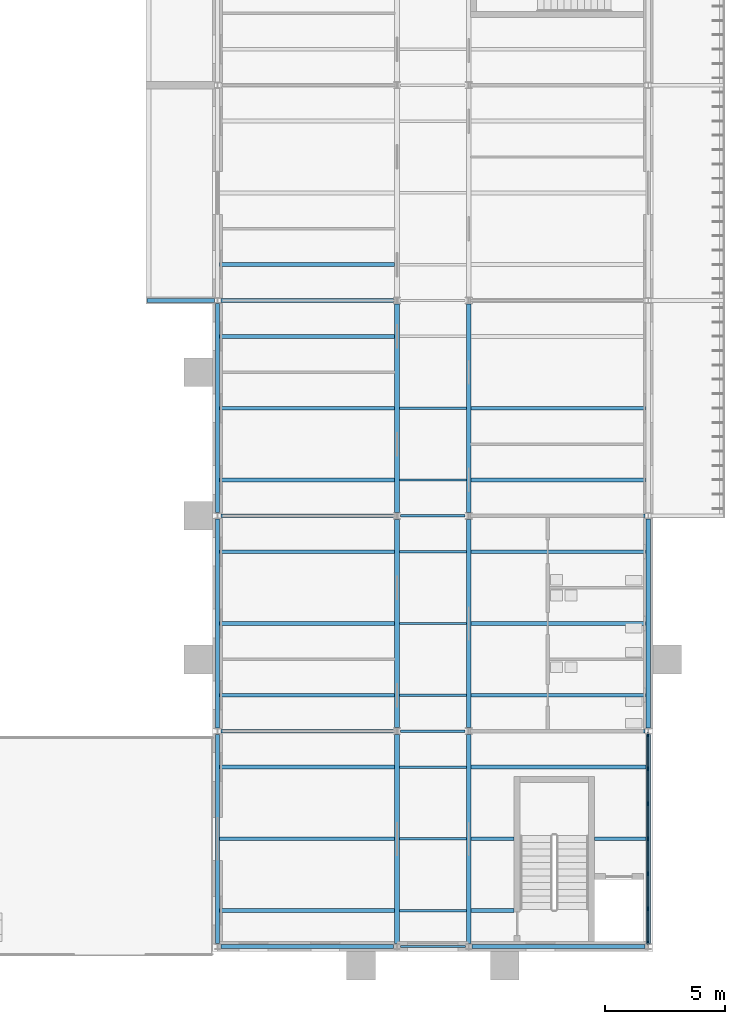
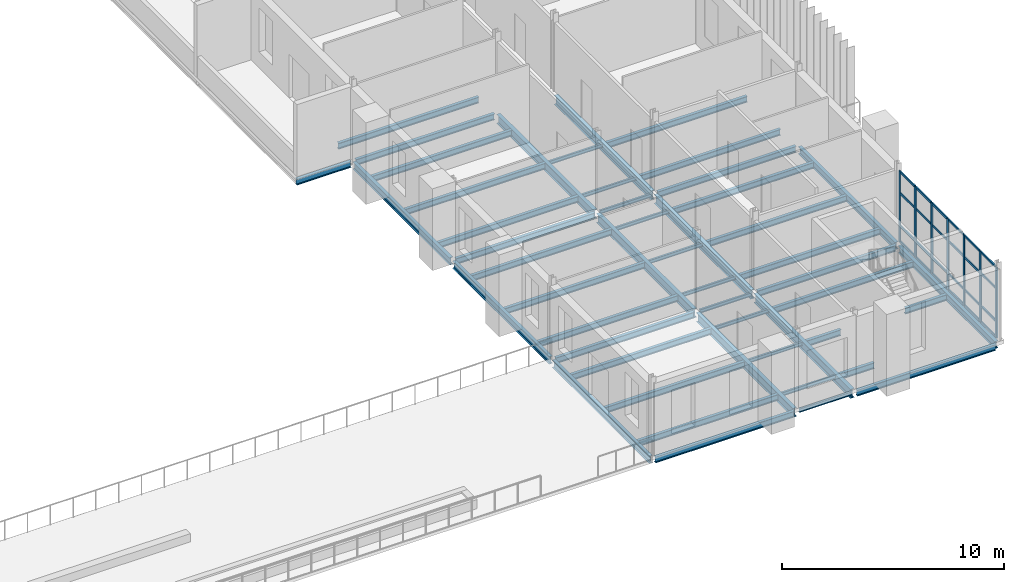
# One storey, part 51 of 134: 49 beams, 31 members, 1 element without a shape of its own.
"""IFC4 building model written with IfcOpenShell, lengths in metres."""

from ifc_helpers import new_model, si_unit, direction, frame, origin, origin_2d, place, context, subcontext, project, spatial, rectangle, i_section, extrude, material, layer, layer_set, material_profile, profile_set, type_object, element, aggregate, save


model = new_model("IFC4")

# Units and contexts
model_context = context("Model", 3, precision=1e-05, world=origin(), true_north=direction((0.0, 1.0)))
body_context = subcontext(model_context, "Body", "Model", "MODEL_VIEW")
ifc_project = project(units=[si_unit("LENGTHUNIT", "METRE"), si_unit("AREAUNIT", "SQUARE_METRE"), si_unit("VOLUMEUNIT", "CUBIC_METRE"), si_unit("PLANEANGLEUNIT", "RADIAN"), si_unit("MASSUNIT", "GRAM", prefix="KILO")], contexts=[model_context])

# Site, building, storey
site_placement = place(None, origin())
site = spatial("IfcSite", under=ifc_project, at=site_placement, CompositionType="ELEMENT")
building_placement = place(site_placement, origin())
building = spatial("IfcBuilding", under=site, at=building_placement, Name="Golden Quay Civic Hall", CompositionType="ELEMENT")
storey_placement = place(building_placement, frame((0.0, 0.0, 5.39990234375)))
storey = spatial("IfcBuildingStorey", under=building, at=storey_placement, Name="L01", CompositionType="ELEMENT", Elevation=5.39990234375)

# Curtain wall, members
ifc_material_1 = material(Name="Glass, laminated double glazed", Category="glass")
ifc_layer = layer(ifc_material_1, 0.199951171875)
ifc_layer_set = layer_set([ifc_layer], Name="Glazed core strip curtain wall")
curtain_wall_type = type_object("IfcCurtainWallType", Name="Glazed core strip curtain wall", PredefinedType="NOTDEFINED", material=ifc_layer_set)
curtain_wall_placement = place(storey_placement, origin())
curtain_wall = element("IfcCurtainWall", 1, at=curtain_wall_placement, inside=storey, type_object=curtain_wall_type, Name="Glazed core strip curtain wall L01 5", PredefinedType="NOTDEFINED")
ifc_material_2 = material(Name="Aluminium, anodised", Category="aluminium")
ifc_material_profile_1 = material_profile(ifc_material_2, rectangle(XDim=0.06005859375, YDim=0.159912109375, at=origin_2d()), Name="Aluminium 60 x 160")
ifc_profile_set_1 = profile_set([ifc_material_profile_1], Name="Aluminium, anodised")
member_type_1 = type_object("IfcMemberType", Name="Aluminium mullion 60 x 160", PredefinedType="MULLION", material=ifc_profile_set_1)
member_1_placement = place(storey_placement, frame((171.0, -0.14501953125, 0.0), z_axis=(0.0, 0.0, 1.0), x_axis=(1.0, 0.0, 0.0)))
member_1 = element("IfcMember", 2, at=member_1_placement, type_object=member_type_1, Name="CW2 mullion 1", PredefinedType="MULLION", context=body_context, shape_type="SweptSolid", body=[
    extrude(rectangle(XDim=0.06005859375, YDim=0.159912109375, at=origin_2d()), origin(), (0.0, 0.0, 1.0), 3.900146484375),
])
member_2_placement = place(storey_placement, frame((171.0, -1.57666015625, 0.0), z_axis=(0.0, 0.0, 1.0), x_axis=(1.0, 0.0, 0.0)))
member_2 = element("IfcMember", 3, at=member_2_placement, type_object=member_type_1, Name="CW2 mullion 2", PredefinedType="MULLION", context=body_context, shape_type="SweptSolid", body=[
    extrude(rectangle(XDim=0.06005859375, YDim=0.159912109375, at=origin_2d()), origin(), (0.0, 0.0, 1.0), 3.900146484375),
])
member_3_placement = place(storey_placement, frame((171.0, -3.038330078125, 0.0), z_axis=(0.0, 0.0, 1.0), x_axis=(1.0, 0.0, 0.0)))
member_3 = element("IfcMember", 4, at=member_3_placement, type_object=member_type_1, Name="CW2 mullion 3", PredefinedType="MULLION", context=body_context, shape_type="SweptSolid", body=[
    extrude(rectangle(XDim=0.06005859375, YDim=0.159912109375, at=origin_2d()), origin(), (0.0, 0.0, 1.0), 3.900146484375),
])
member_4_placement = place(storey_placement, frame((171.0, -4.5, 0.0), z_axis=(0.0, 0.0, 1.0), x_axis=(1.0, 0.0, 0.0)))
member_4 = element("IfcMember", 5, at=member_4_placement, type_object=member_type_1, Name="CW2 mullion 4", PredefinedType="MULLION", context=body_context, shape_type="SweptSolid", body=[
    extrude(rectangle(XDim=0.06005859375, YDim=0.159912109375, at=origin_2d()), origin(), (0.0, 0.0, 1.0), 3.900146484375),
])
member_5_placement = place(storey_placement, frame((171.0, -5.961669921875, 0.0), z_axis=(0.0, 0.0, 1.0), x_axis=(1.0, 0.0, 0.0)))
member_5 = element("IfcMember", 6, at=member_5_placement, type_object=member_type_1, Name="CW2 mullion 5", PredefinedType="MULLION", context=body_context, shape_type="SweptSolid", body=[
    extrude(rectangle(XDim=0.06005859375, YDim=0.159912109375, at=origin_2d()), origin(), (0.0, 0.0, 1.0), 3.900146484375),
])
member_6_placement = place(storey_placement, frame((171.0, -7.42333984375, 0.0), z_axis=(0.0, 0.0, 1.0), x_axis=(1.0, 0.0, 0.0)))
member_6 = element("IfcMember", 7, at=member_6_placement, type_object=member_type_1, Name="CW2 mullion 6", PredefinedType="MULLION", context=body_context, shape_type="SweptSolid", body=[
    extrude(rectangle(XDim=0.06005859375, YDim=0.159912109375, at=origin_2d()), origin(), (0.0, 0.0, 1.0), 3.900146484375),
])
member_7_placement = place(storey_placement, frame((171.0, -8.85498046875, 0.0), z_axis=(0.0, 0.0, 1.0), x_axis=(1.0, 0.0, 0.0)))
member_7 = element("IfcMember", 8, at=member_7_placement, type_object=member_type_1, Name="CW2 mullion 7", PredefinedType="MULLION", context=body_context, shape_type="SweptSolid", body=[
    extrude(rectangle(XDim=0.06005859375, YDim=0.159912109375, at=origin_2d()), origin(), (0.0, 0.0, 1.0), 3.900146484375),
])
ifc_material_3 = material(Name="Aluminium, anodised", Category="aluminium")
ifc_material_profile_2 = material_profile(ifc_material_3, rectangle(XDim=0.06005859375, YDim=0.1201171875, at=origin_2d()), Name="Aluminium 60 x 120")
ifc_profile_set_2 = profile_set([ifc_material_profile_2], Name="Aluminium, anodised")
member_type_2 = type_object("IfcMemberType", Name="Aluminium transom 60 x 120", PredefinedType="USERDEFINED", material=ifc_profile_set_2)
member_8_placement = place(storey_placement, frame((171.0, -0.175048828125, 0.030029296875), z_axis=(0.0, -1.0, 0.0), x_axis=(1.0, 0.0, 0.0)))
member_8 = element("IfcMember", 9, at=member_8_placement, type_object=member_type_2, Name="CW2 transom 1.1", ObjectType="TRANSOM", PredefinedType="USERDEFINED", context=body_context, shape_type="SweptSolid", body=[
    extrude(rectangle(XDim=0.06005859375, YDim=0.1201171875, at=origin_2d()), origin(), (0.0, 0.0, 1.0), 1.37158203125),
])
member_9_placement = place(storey_placement, frame((171.0, -0.175048828125, 0.900146484375), z_axis=(0.0, -1.0, 0.0), x_axis=(1.0, 0.0, 0.0)))
member_9 = element("IfcMember", 10, at=member_9_placement, type_object=member_type_2, Name="CW2 transom 1.2", ObjectType="TRANSOM", PredefinedType="USERDEFINED", context=body_context, shape_type="SweptSolid", body=[
    extrude(rectangle(XDim=0.06005859375, YDim=0.1201171875, at=origin_2d()), origin(), (0.0, 0.0, 1.0), 1.37158203125),
])
member_10_placement = place(storey_placement, frame((171.0, -0.175048828125, 2.7001953125), z_axis=(0.0, -1.0, 0.0), x_axis=(1.0, 0.0, 0.0)))
member_10 = element("IfcMember", 11, at=member_10_placement, type_object=member_type_2, Name="CW2 transom 1.3", ObjectType="TRANSOM", PredefinedType="USERDEFINED", context=body_context, shape_type="SweptSolid", body=[
    extrude(rectangle(XDim=0.06005859375, YDim=0.1201171875, at=origin_2d()), origin(), (0.0, 0.0, 1.0), 1.37158203125),
])
member_11_placement = place(storey_placement, frame((171.0, -0.175048828125, 3.8701171875), z_axis=(0.0, -1.0, 0.0), x_axis=(1.0, 0.0, 0.0)))
member_11 = element("IfcMember", 12, at=member_11_placement, type_object=member_type_2, Name="CW2 transom 1.4", ObjectType="TRANSOM", PredefinedType="USERDEFINED", context=body_context, shape_type="SweptSolid", body=[
    extrude(rectangle(XDim=0.06005859375, YDim=0.1201171875, at=origin_2d()), origin(), (0.0, 0.0, 1.0), 1.37158203125),
])
member_12_placement = place(storey_placement, frame((171.0, -1.606689453125, 0.030029296875), z_axis=(0.0, -1.0, 0.0), x_axis=(1.0, 0.0, 0.0)))
member_12 = element("IfcMember", 13, at=member_12_placement, type_object=member_type_2, Name="CW2 transom 2.1", ObjectType="TRANSOM", PredefinedType="USERDEFINED", context=body_context, shape_type="SweptSolid", body=[
    extrude(rectangle(XDim=0.06005859375, YDim=0.1201171875, at=origin_2d()), origin(), (0.0, 0.0, 1.0), 1.401611328125),
])
member_13_placement = place(storey_placement, frame((171.0, -1.606689453125, 0.900146484375), z_axis=(0.0, -1.0, 0.0), x_axis=(1.0, 0.0, 0.0)))
member_13 = element("IfcMember", 14, at=member_13_placement, type_object=member_type_2, Name="CW2 transom 2.2", ObjectType="TRANSOM", PredefinedType="USERDEFINED", context=body_context, shape_type="SweptSolid", body=[
    extrude(rectangle(XDim=0.06005859375, YDim=0.1201171875, at=origin_2d()), origin(), (0.0, 0.0, 1.0), 1.401611328125),
])
member_14_placement = place(storey_placement, frame((171.0, -1.606689453125, 2.7001953125), z_axis=(0.0, -1.0, 0.0), x_axis=(1.0, 0.0, 0.0)))
member_14 = element("IfcMember", 15, at=member_14_placement, type_object=member_type_2, Name="CW2 transom 2.3", ObjectType="TRANSOM", PredefinedType="USERDEFINED", context=body_context, shape_type="SweptSolid", body=[
    extrude(rectangle(XDim=0.06005859375, YDim=0.1201171875, at=origin_2d()), origin(), (0.0, 0.0, 1.0), 1.401611328125),
])
member_15_placement = place(storey_placement, frame((171.0, -1.606689453125, 3.8701171875), z_axis=(0.0, -1.0, 0.0), x_axis=(1.0, 0.0, 0.0)))
member_15 = element("IfcMember", 16, at=member_15_placement, type_object=member_type_2, Name="CW2 transom 2.4", ObjectType="TRANSOM", PredefinedType="USERDEFINED", context=body_context, shape_type="SweptSolid", body=[
    extrude(rectangle(XDim=0.06005859375, YDim=0.1201171875, at=origin_2d()), origin(), (0.0, 0.0, 1.0), 1.401611328125),
])
member_16_placement = place(storey_placement, frame((171.0, -3.068359375, 0.030029296875), z_axis=(0.0, -1.0, 0.0), x_axis=(1.0, 0.0, 0.0)))
member_16 = element("IfcMember", 17, at=member_16_placement, type_object=member_type_2, Name="CW2 transom 3.1", ObjectType="TRANSOM", PredefinedType="USERDEFINED", context=body_context, shape_type="SweptSolid", body=[
    extrude(rectangle(XDim=0.06005859375, YDim=0.1201171875, at=origin_2d()), origin(), (0.0, 0.0, 1.0), 1.401611328125),
])
member_17_placement = place(storey_placement, frame((171.0, -3.068359375, 0.900146484375), z_axis=(0.0, -1.0, 0.0), x_axis=(1.0, 0.0, 0.0)))
member_17 = element("IfcMember", 18, at=member_17_placement, type_object=member_type_2, Name="CW2 transom 3.2", ObjectType="TRANSOM", PredefinedType="USERDEFINED", context=body_context, shape_type="SweptSolid", body=[
    extrude(rectangle(XDim=0.06005859375, YDim=0.1201171875, at=origin_2d()), origin(), (0.0, 0.0, 1.0), 1.401611328125),
])
member_18_placement = place(storey_placement, frame((171.0, -3.068359375, 2.7001953125), z_axis=(0.0, -1.0, 0.0), x_axis=(1.0, 0.0, 0.0)))
member_18 = element("IfcMember", 19, at=member_18_placement, type_object=member_type_2, Name="CW2 transom 3.3", ObjectType="TRANSOM", PredefinedType="USERDEFINED", context=body_context, shape_type="SweptSolid", body=[
    extrude(rectangle(XDim=0.06005859375, YDim=0.1201171875, at=origin_2d()), origin(), (0.0, 0.0, 1.0), 1.401611328125),
])
member_19_placement = place(storey_placement, frame((171.0, -3.068359375, 3.8701171875), z_axis=(0.0, -1.0, 0.0), x_axis=(1.0, 0.0, 0.0)))
member_19 = element("IfcMember", 20, at=member_19_placement, type_object=member_type_2, Name="CW2 transom 3.4", ObjectType="TRANSOM", PredefinedType="USERDEFINED", context=body_context, shape_type="SweptSolid", body=[
    extrude(rectangle(XDim=0.06005859375, YDim=0.1201171875, at=origin_2d()), origin(), (0.0, 0.0, 1.0), 1.401611328125),
])
member_20_placement = place(storey_placement, frame((171.0, -4.530029296875, 0.030029296875), z_axis=(0.0, -1.0, 0.0), x_axis=(1.0, 0.0, 0.0)))
member_20 = element("IfcMember", 21, at=member_20_placement, type_object=member_type_2, Name="CW2 transom 4.1", ObjectType="TRANSOM", PredefinedType="USERDEFINED", context=body_context, shape_type="SweptSolid", body=[
    extrude(rectangle(XDim=0.06005859375, YDim=0.1201171875, at=origin_2d()), origin(), (0.0, 0.0, 1.0), 1.401611328125),
])
member_21_placement = place(storey_placement, frame((171.0, -4.530029296875, 0.900146484375), z_axis=(0.0, -1.0, 0.0), x_axis=(1.0, 0.0, 0.0)))
member_21 = element("IfcMember", 22, at=member_21_placement, type_object=member_type_2, Name="CW2 transom 4.2", ObjectType="TRANSOM", PredefinedType="USERDEFINED", context=body_context, shape_type="SweptSolid", body=[
    extrude(rectangle(XDim=0.06005859375, YDim=0.1201171875, at=origin_2d()), origin(), (0.0, 0.0, 1.0), 1.401611328125),
])
member_22_placement = place(storey_placement, frame((171.0, -4.530029296875, 2.7001953125), z_axis=(0.0, -1.0, 0.0), x_axis=(1.0, 0.0, 0.0)))
member_22 = element("IfcMember", 23, at=member_22_placement, type_object=member_type_2, Name="CW2 transom 4.3", ObjectType="TRANSOM", PredefinedType="USERDEFINED", context=body_context, shape_type="SweptSolid", body=[
    extrude(rectangle(XDim=0.06005859375, YDim=0.1201171875, at=origin_2d()), origin(), (0.0, 0.0, 1.0), 1.401611328125),
])
member_23_placement = place(storey_placement, frame((171.0, -4.530029296875, 3.8701171875), z_axis=(0.0, -1.0, 0.0), x_axis=(1.0, 0.0, 0.0)))
member_23 = element("IfcMember", 24, at=member_23_placement, type_object=member_type_2, Name="CW2 transom 4.4", ObjectType="TRANSOM", PredefinedType="USERDEFINED", context=body_context, shape_type="SweptSolid", body=[
    extrude(rectangle(XDim=0.06005859375, YDim=0.1201171875, at=origin_2d()), origin(), (0.0, 0.0, 1.0), 1.401611328125),
])
member_24_placement = place(storey_placement, frame((171.0, -5.99169921875, 0.030029296875), z_axis=(0.0, -1.0, 0.0), x_axis=(1.0, 0.0, 0.0)))
member_24 = element("IfcMember", 25, at=member_24_placement, type_object=member_type_2, Name="CW2 transom 5.1", ObjectType="TRANSOM", PredefinedType="USERDEFINED", context=body_context, shape_type="SweptSolid", body=[
    extrude(rectangle(XDim=0.06005859375, YDim=0.1201171875, at=origin_2d()), origin(), (0.0, 0.0, 1.0), 1.401611328125),
])
member_25_placement = place(storey_placement, frame((171.0, -5.99169921875, 0.900146484375), z_axis=(0.0, -1.0, 0.0), x_axis=(1.0, 0.0, 0.0)))
member_25 = element("IfcMember", 26, at=member_25_placement, type_object=member_type_2, Name="CW2 transom 5.2", ObjectType="TRANSOM", PredefinedType="USERDEFINED", context=body_context, shape_type="SweptSolid", body=[
    extrude(rectangle(XDim=0.06005859375, YDim=0.1201171875, at=origin_2d()), origin(), (0.0, 0.0, 1.0), 1.401611328125),
])
member_26_placement = place(storey_placement, frame((171.0, -5.99169921875, 2.7001953125), z_axis=(0.0, -1.0, 0.0), x_axis=(1.0, 0.0, 0.0)))
member_26 = element("IfcMember", 27, at=member_26_placement, type_object=member_type_2, Name="CW2 transom 5.3", ObjectType="TRANSOM", PredefinedType="USERDEFINED", context=body_context, shape_type="SweptSolid", body=[
    extrude(rectangle(XDim=0.06005859375, YDim=0.1201171875, at=origin_2d()), origin(), (0.0, 0.0, 1.0), 1.401611328125),
])
member_27_placement = place(storey_placement, frame((171.0, -5.99169921875, 3.8701171875), z_axis=(0.0, -1.0, 0.0), x_axis=(1.0, 0.0, 0.0)))
member_27 = element("IfcMember", 28, at=member_27_placement, type_object=member_type_2, Name="CW2 transom 5.4", ObjectType="TRANSOM", PredefinedType="USERDEFINED", context=body_context, shape_type="SweptSolid", body=[
    extrude(rectangle(XDim=0.06005859375, YDim=0.1201171875, at=origin_2d()), origin(), (0.0, 0.0, 1.0), 1.401611328125),
])
member_28_placement = place(storey_placement, frame((171.0, -7.453369140625, 0.030029296875), z_axis=(0.0, -1.0, 0.0), x_axis=(1.0, 0.0, 0.0)))
member_28 = element("IfcMember", 29, at=member_28_placement, type_object=member_type_2, Name="CW2 transom 6.1", ObjectType="TRANSOM", PredefinedType="USERDEFINED", context=body_context, shape_type="SweptSolid", body=[
    extrude(rectangle(XDim=0.06005859375, YDim=0.1201171875, at=origin_2d()), origin(), (0.0, 0.0, 1.0), 1.37158203125),
])
member_29_placement = place(storey_placement, frame((171.0, -7.453369140625, 0.900146484375), z_axis=(0.0, -1.0, 0.0), x_axis=(1.0, 0.0, 0.0)))
member_29 = element("IfcMember", 30, at=member_29_placement, type_object=member_type_2, Name="CW2 transom 6.2", ObjectType="TRANSOM", PredefinedType="USERDEFINED", context=body_context, shape_type="SweptSolid", body=[
    extrude(rectangle(XDim=0.06005859375, YDim=0.1201171875, at=origin_2d()), origin(), (0.0, 0.0, 1.0), 1.37158203125),
])
member_30_placement = place(storey_placement, frame((171.0, -7.453369140625, 2.7001953125), z_axis=(0.0, -1.0, 0.0), x_axis=(1.0, 0.0, 0.0)))
member_30 = element("IfcMember", 31, at=member_30_placement, type_object=member_type_2, Name="CW2 transom 6.3", ObjectType="TRANSOM", PredefinedType="USERDEFINED", context=body_context, shape_type="SweptSolid", body=[
    extrude(rectangle(XDim=0.06005859375, YDim=0.1201171875, at=origin_2d()), origin(), (0.0, 0.0, 1.0), 1.37158203125),
])
member_31_placement = place(storey_placement, frame((171.0, -7.453369140625, 3.8701171875), z_axis=(0.0, -1.0, 0.0), x_axis=(1.0, 0.0, 0.0)))
member_31 = element("IfcMember", 32, at=member_31_placement, type_object=member_type_2, Name="CW2 transom 6.4", ObjectType="TRANSOM", PredefinedType="USERDEFINED", context=body_context, shape_type="SweptSolid", body=[
    extrude(rectangle(XDim=0.06005859375, YDim=0.1201171875, at=origin_2d()), origin(), (0.0, 0.0, 1.0), 1.37158203125),
])
aggregate(curtain_wall, [member_1, member_2, member_3, member_4, member_5, member_6, member_7, member_8, member_9, member_10, member_11, member_12, member_13, member_14, member_15, member_16, member_17, member_18, member_19, member_20, member_21, member_22, member_23, member_24, member_25, member_26, member_27, member_28, member_29, member_30, member_31])

# Beams
ifc_material_4 = material(Name="Steel S355", Category="steel")
ifc_material_profile_3 = material_profile(ifc_material_4, i_section(OverallWidth=0.159912109375, OverallDepth=0.330078125, WebThickness=0.007568359375, FlangeThickness=0.011474609375, FilletRadius=0.01806640625, at=origin_2d()), Name="IPE 330")
ifc_profile_set_3 = profile_set([ifc_material_profile_3], Name="Steel S355")
beam_type_1 = type_object("IfcBeamType", Name="Loggia stub IPE 330", PredefinedType="BEAM", material=ifc_profile_set_3)
beam_1_placement = place(storey_placement, frame((152.8798828125, 18.0, -0.364990234375), z_axis=(-1.0, 0.0, 0.0), x_axis=(0.0, -1.0, 0.0)))
element("IfcBeam", 33, at=beam_1_placement, inside=storey, type_object=beam_type_1, Name="Loggia stub IPE 330 L01 11", PredefinedType="BEAM", context=body_context, shape_type="SweptSolid", body=[
    extrude(i_section(OverallWidth=0.159912109375, OverallDepth=0.330078125, WebThickness=0.007568359375, FlangeThickness=0.011474609375, FilletRadius=0.01806640625, at=origin_2d()), origin(), (0.0, 0.0, 1.0), 2.829833984375),
])
ifc_material_5 = material(Name="Steel S355", Category="steel")
ifc_material_profile_4 = material_profile(ifc_material_5, i_section(OverallWidth=0.10009765625, OverallDepth=0.199951171875, WebThickness=0.005615234375, FlangeThickness=0.008544921875, FilletRadius=0.011962890625, at=origin_2d()), Name="IPE 200")
ifc_profile_set_4 = profile_set([ifc_material_profile_4], Name="Steel S355")
beam_type_2 = type_object("IfcBeamType", Name="Steel beam IPE 200", PredefinedType="BEAM", material=ifc_profile_set_4)
beam_2_placement = place(storey_placement, frame((160.639892578125, -9.0, -0.2998046875), z_axis=(1.0, 0.0, 0.0), x_axis=(0.0, 1.0, 0.0)))
element("IfcBeam", 34, at=beam_2_placement, inside=storey, type_object=beam_type_2, Name="Beam S-9-160.5", PredefinedType="BEAM", context=body_context, shape_type="SweptSolid", body=[
    extrude(i_section(OverallWidth=0.10009765625, OverallDepth=0.199951171875, WebThickness=0.005615234375, FlangeThickness=0.008544921875, FilletRadius=0.011962890625, at=origin_2d()), origin(), (0.0, 0.0, 1.0), 2.72021484375),
])
for number, where, z_axis, x_axis, name in (
    (35, (160.64990234375, 0.0, -0.2998046875), (1.0, 0.0, 0.0), (0.0, 1.0, 0.0), "Beam S0-160.5"),
    (36, (160.64990234375, 9.0, -0.2998046875), (1.0, 0.0, 0.0), (0.0, 1.0, 0.0), "Beam S9-160.5"),
):
    element("IfcBeam", number, at=place(storey_placement, frame(where, z_axis=z_axis, x_axis=x_axis)), inside=storey, type_object=beam_type_2, Name=name, PredefinedType="BEAM", context=body_context, shape_type="SweptSolid", body=[
        extrude(i_section(OverallWidth=0.10009765625, OverallDepth=0.199951171875, WebThickness=0.005615234375, FlangeThickness=0.008544921875, FilletRadius=0.011962890625, at=origin_2d()), origin(), (0.0, 0.0, 1.0), 2.7001953125),
    ])
ifc_material_6 = material(Name="Steel S355", Category="steel")
ifc_material_profile_5 = material_profile(ifc_material_6, i_section(OverallWidth=0.159912109375, OverallDepth=0.330078125, WebThickness=0.007568359375, FlangeThickness=0.011474609375, FilletRadius=0.01806640625, at=origin_2d()), Name="IPE 330")
ifc_profile_set_5 = profile_set([ifc_material_profile_5], Name="Steel S355")
beam_type_3 = type_object("IfcBeamType", Name="Steel beam IPE 330", PredefinedType="BEAM", material=ifc_profile_set_5)
for number, where, z_axis, x_axis, name in (
    (37, (153.139892578125, -9.0, -0.364990234375), (1.0, 0.0, 0.0), (0.0, 1.0, 0.0), "Beam S-9-153"),
    (38, (163.639892578125, -9.0, -0.364990234375), (1.0, 0.0, 0.0), (0.0, 1.0, 0.0), "Beam S-9-163.5"),
):
    element("IfcBeam", number, at=place(storey_placement, frame(where, z_axis=z_axis, x_axis=x_axis)), inside=storey, type_object=beam_type_3, Name=name, PredefinedType="BEAM", context=body_context, shape_type="SweptSolid", body=[
        extrude(i_section(OverallWidth=0.159912109375, OverallDepth=0.330078125, WebThickness=0.007568359375, FlangeThickness=0.011474609375, FilletRadius=0.01806640625, at=origin_2d()), origin(), (0.0, 0.0, 1.0), 7.22021484375),
    ])
for number, where, z_axis, x_axis, name in (
    (39, (153.139892578125, 0.0, -0.364990234375), (1.0, 0.0, 0.0), (0.0, 1.0, 0.0), "Beam S0-153"),
    (40, (163.64990234375, 0.0, -0.364990234375), (1.0, 0.0, 0.0), (0.0, 1.0, 0.0), "Beam S0-163.5"),
    (41, (153.139892578125, 9.0, -0.364990234375), (1.0, 0.0, 0.0), (0.0, 1.0, 0.0), "Beam S9-153"),
    (42, (163.64990234375, 9.0, -0.364990234375), (1.0, 0.0, 0.0), (0.0, 1.0, 0.0), "Beam S9-163.5"),
    (43, (153.139892578125, 18.0, -0.364990234375), (1.0, 0.0, 0.0), (0.0, 1.0, 0.0), "Beam S18-153"),
):
    element("IfcBeam", number, at=place(storey_placement, frame(where, z_axis=z_axis, x_axis=x_axis)), inside=storey, type_object=beam_type_3, Name=name, PredefinedType="BEAM", context=body_context, shape_type="SweptSolid", body=[
        extrude(i_section(OverallWidth=0.159912109375, OverallDepth=0.330078125, WebThickness=0.007568359375, FlangeThickness=0.011474609375, FilletRadius=0.01806640625, at=origin_2d()), origin(), (0.0, 0.0, 1.0), 7.210205078125),
    ])
ifc_material_7 = material(Name="Steel S355", Category="steel")
ifc_material_profile_6 = material_profile(ifc_material_7, i_section(OverallWidth=0.179931640625, OverallDepth=0.39990234375, WebThickness=0.008544921875, FlangeThickness=0.013427734375, FilletRadius=0.02099609375, at=origin_2d()), Name="IPE 400")
ifc_profile_set_6 = profile_set([ifc_material_profile_6], Name="Steel S355")
beam_type_4 = type_object("IfcBeamType", Name="Steel beam IPE 400", PredefinedType="BEAM", material=ifc_profile_set_6)
for number, where, z_axis, x_axis, name in (
    (44, (153.0, -8.864990234375, -0.39990234375), (0.0, 1.0, 0.0), (-1.0, 0.0, 0.0), "Beam L153--9"),
    (45, (153.0, 0.135009765625, -0.39990234375), (0.0, 1.0, 0.0), (-1.0, 0.0, 0.0), "Beam L153-0"),
    (46, (153.0, 9.135009765625, -0.39990234375), (0.0, 1.0, 0.0), (-1.0, 0.0, 0.0), "Beam L153-9"),
    (47, (171.0, -8.864990234375, -0.39990234375), (0.0, 1.0, 0.0), (-1.0, 0.0, 0.0), "Beam L171--9"),
    (48, (171.0, 0.135009765625, -0.39990234375), (0.0, 1.0, 0.0), (-1.0, 0.0, 0.0), "Beam L171-0"),
):
    element("IfcBeam", number, at=place(storey_placement, frame(where, z_axis=z_axis, x_axis=x_axis)), inside=storey, type_object=beam_type_4, Name=name, PredefinedType="BEAM", context=body_context, shape_type="SweptSolid", body=[
        extrude(i_section(OverallWidth=0.179931640625, OverallDepth=0.39990234375, WebThickness=0.008544921875, FlangeThickness=0.013427734375, FilletRadius=0.02099609375, at=origin_2d()), origin(), (0.0, 0.0, 1.0), 8.72998046875),
    ])
ifc_material_8 = material(Name="Steel S355", Category="steel")
ifc_material_profile_7 = material_profile(ifc_material_8, i_section(OverallWidth=0.199951171875, OverallDepth=0.5, WebThickness=0.01025390625, FlangeThickness=0.01611328125, FilletRadius=0.02099609375, at=origin_2d()), Name="IPE 500")
ifc_profile_set_7 = profile_set([ifc_material_profile_7], Name="Steel S355")
beam_type_5 = type_object("IfcBeamType", Name="Steel beam IPE 500", PredefinedType="BEAM", material=ifc_profile_set_7)
beam_3_placement = place(storey_placement, frame((160.5, -8.864990234375, -0.449951171875), z_axis=(0.0, 1.0, 0.0), x_axis=(-1.0, 0.0, 0.0)))
element("IfcBeam", 49, at=beam_3_placement, inside=storey, type_object=beam_type_5, Name="Beam L160.5--9", PredefinedType="BEAM", context=body_context, shape_type="SweptSolid", body=[
    extrude(i_section(OverallWidth=0.199951171875, OverallDepth=0.5, WebThickness=0.01025390625, FlangeThickness=0.01611328125, FilletRadius=0.02099609375, at=origin_2d()), origin(), (0.0, 0.0, 1.0), 8.719970703125),
])
for number, where, z_axis, x_axis, name in (
    (50, (160.5, 0.14501953125, -0.449951171875), (0.0, 1.0, 0.0), (-1.0, 0.0, 0.0), "Beam L160.5-0"),
    (51, (160.5, 9.14501953125, -0.449951171875), (0.0, 1.0, 0.0), (-1.0, 0.0, 0.0), "Beam L160.5-9"),
):
    element("IfcBeam", number, at=place(storey_placement, frame(where, z_axis=z_axis, x_axis=x_axis)), inside=storey, type_object=beam_type_5, Name=name, PredefinedType="BEAM", context=body_context, shape_type="SweptSolid", body=[
        extrude(i_section(OverallWidth=0.199951171875, OverallDepth=0.5, WebThickness=0.01025390625, FlangeThickness=0.01611328125, FilletRadius=0.02099609375, at=origin_2d()), origin(), (0.0, 0.0, 1.0), 8.7099609375),
    ])
beam_4_placement = place(storey_placement, frame((163.5, -8.864990234375, -0.449951171875), z_axis=(0.0, 1.0, 0.0), x_axis=(-1.0, 0.0, 0.0)))
element("IfcBeam", 52, at=beam_4_placement, inside=storey, type_object=beam_type_5, Name="Beam L163.5--9", PredefinedType="BEAM", context=body_context, shape_type="SweptSolid", body=[
    extrude(i_section(OverallWidth=0.199951171875, OverallDepth=0.5, WebThickness=0.01025390625, FlangeThickness=0.01611328125, FilletRadius=0.02099609375, at=origin_2d()), origin(), (0.0, 0.0, 1.0), 8.719970703125),
])
for number, where, z_axis, x_axis, name in (
    (53, (163.5, 0.14501953125, -0.449951171875), (0.0, 1.0, 0.0), (-1.0, 0.0, 0.0), "Beam L163.5-0"),
    (54, (163.5, 9.14501953125, -0.449951171875), (0.0, 1.0, 0.0), (-1.0, 0.0, 0.0), "Beam L163.5-9"),
):
    element("IfcBeam", number, at=place(storey_placement, frame(where, z_axis=z_axis, x_axis=x_axis)), inside=storey, type_object=beam_type_5, Name=name, PredefinedType="BEAM", context=body_context, shape_type="SweptSolid", body=[
        extrude(i_section(OverallWidth=0.199951171875, OverallDepth=0.5, WebThickness=0.01025390625, FlangeThickness=0.01611328125, FilletRadius=0.02099609375, at=origin_2d()), origin(), (0.0, 0.0, 1.0), 8.7099609375),
    ])
ifc_material_9 = material(Name="Steel S355", Category="steel")
ifc_material_profile_8 = material_profile(ifc_material_9, i_section(OverallWidth=0.10009765625, OverallDepth=0.199951171875, WebThickness=0.005615234375, FlangeThickness=0.008544921875, FilletRadius=0.011962890625, at=origin_2d()), Name="IPE 200")
ifc_profile_set_8 = profile_set([ifc_material_profile_8], Name="Steel S355")
beam_type_6 = type_object("IfcBeamType", Name="Steel joist IPE 200", PredefinedType="JOIST", material=ifc_profile_set_8)
for number, where, z_axis, x_axis, name in (
    (55, (160.60009765625, -7.5, -0.2998046875), (1.0, 0.0, 0.0), (0.0, 1.0, 0.0), "Joist J-7.5-160.5"),
    (56, (160.60009765625, -4.5, -0.2998046875), (1.0, 0.0, 0.0), (0.0, 1.0, 0.0), "Joist J-4.5-160.5"),
    (57, (160.60009765625, -1.5, -0.2998046875), (1.0, 0.0, 0.0), (0.0, 1.0, 0.0), "Joist J-1.5-160.5"),
    (58, (160.60009765625, 1.5, -0.2998046875), (1.0, 0.0, 0.0), (0.0, 1.0, 0.0), "Joist J1.5-160.5"),
    (59, (160.60009765625, 4.5, -0.2998046875), (1.0, 0.0, 0.0), (0.0, 1.0, 0.0), "Joist J4.5-160.5"),
    (60, (160.60009765625, 7.5, -0.2998046875), (1.0, 0.0, 0.0), (0.0, 1.0, 0.0), "Joist J7.5-160.5"),
    (61, (160.60009765625, 10.5, -0.2998046875), (1.0, 0.0, 0.0), (0.0, 1.0, 0.0), "Joist J10.5-160.5"),
    (62, (160.60009765625, 13.5, -0.2998046875), (1.0, 0.0, 0.0), (0.0, 1.0, 0.0), "Joist J13.5-160.5"),
):
    element("IfcBeam", number, at=place(storey_placement, frame(where, z_axis=z_axis, x_axis=x_axis)), inside=storey, type_object=beam_type_6, Name=name, PredefinedType="JOIST", context=body_context, shape_type="SweptSolid", body=[
        extrude(i_section(OverallWidth=0.10009765625, OverallDepth=0.199951171875, WebThickness=0.005615234375, FlangeThickness=0.008544921875, FilletRadius=0.011962890625, at=origin_2d()), origin(), (0.0, 0.0, 1.0), 2.7998046875),
    ])
ifc_material_10 = material(Name="Steel S355", Category="steel")
ifc_material_profile_9 = material_profile(ifc_material_10, i_section(OverallWidth=0.159912109375, OverallDepth=0.330078125, WebThickness=0.007568359375, FlangeThickness=0.011474609375, FilletRadius=0.01806640625, at=origin_2d()), Name="IPE 330")
ifc_profile_set_9 = profile_set([ifc_material_profile_9], Name="Steel S355")
beam_type_7 = type_object("IfcBeamType", Name="Steel joist IPE 330", PredefinedType="JOIST", material=ifc_profile_set_9)
beam_5_placement = place(storey_placement, frame((153.090087890625, -7.5, -0.364990234375), z_axis=(1.0, 0.0, 0.0), x_axis=(0.0, 1.0, 0.0)))
element("IfcBeam", 63, at=beam_5_placement, inside=storey, type_object=beam_type_7, Name="Joist J-7.5-153", PredefinedType="JOIST", context=body_context, shape_type="SweptSolid", body=[
    extrude(i_section(OverallWidth=0.159912109375, OverallDepth=0.330078125, WebThickness=0.007568359375, FlangeThickness=0.011474609375, FilletRadius=0.01806640625, at=origin_2d()), origin(), (0.0, 0.0, 1.0), 7.309814453125),
])
beam_6_placement = place(storey_placement, frame((163.60009765625, -7.5, -0.364990234375), z_axis=(1.0, 0.0, 0.0), x_axis=(0.0, 1.0, 0.0)))
element("IfcBeam", 64, at=beam_6_placement, inside=storey, type_object=beam_type_7, Name="Joist J-7.5-163.5-0", PredefinedType="JOIST", context=body_context, shape_type="SweptSolid", body=[
    extrude(i_section(OverallWidth=0.159912109375, OverallDepth=0.330078125, WebThickness=0.007568359375, FlangeThickness=0.011474609375, FilletRadius=0.01806640625, at=origin_2d()), origin(), (0.0, 0.0, 1.0), 1.7998046875),
])
beam_7_placement = place(storey_placement, frame((153.090087890625, -4.5, -0.364990234375), z_axis=(1.0, 0.0, 0.0), x_axis=(0.0, 1.0, 0.0)))
element("IfcBeam", 65, at=beam_7_placement, inside=storey, type_object=beam_type_7, Name="Joist J-4.5-153", PredefinedType="JOIST", context=body_context, shape_type="SweptSolid", body=[
    extrude(i_section(OverallWidth=0.159912109375, OverallDepth=0.330078125, WebThickness=0.007568359375, FlangeThickness=0.011474609375, FilletRadius=0.01806640625, at=origin_2d()), origin(), (0.0, 0.0, 1.0), 7.309814453125),
])
beam_8_placement = place(storey_placement, frame((163.60009765625, -4.5, -0.364990234375), z_axis=(1.0, 0.0, 0.0), x_axis=(0.0, 1.0, 0.0)))
element("IfcBeam", 66, at=beam_8_placement, inside=storey, type_object=beam_type_7, Name="Joist J-4.5-163.5-0", PredefinedType="JOIST", context=body_context, shape_type="SweptSolid", body=[
    extrude(i_section(OverallWidth=0.159912109375, OverallDepth=0.330078125, WebThickness=0.007568359375, FlangeThickness=0.011474609375, FilletRadius=0.01806640625, at=origin_2d()), origin(), (0.0, 0.0, 1.0), 1.7998046875),
])
beam_9_placement = place(storey_placement, frame((168.75, -4.5, -0.364990234375), z_axis=(1.0, 0.0, 0.0), x_axis=(0.0, 1.0, 0.0)))
element("IfcBeam", 67, at=beam_9_placement, inside=storey, type_object=beam_type_7, Name="Joist J-4.5-163.5-1", PredefinedType="JOIST", context=body_context, shape_type="SweptSolid", body=[
    extrude(i_section(OverallWidth=0.159912109375, OverallDepth=0.330078125, WebThickness=0.007568359375, FlangeThickness=0.011474609375, FilletRadius=0.01806640625, at=origin_2d()), origin(), (0.0, 0.0, 1.0), 2.159912109375),
])
for number, where, z_axis, x_axis, name in (
    (68, (153.090087890625, -1.5, -0.364990234375), (1.0, 0.0, 0.0), (0.0, 1.0, 0.0), "Joist J-1.5-153"),
    (69, (163.60009765625, -1.5, -0.364990234375), (1.0, 0.0, 0.0), (0.0, 1.0, 0.0), "Joist J-1.5-163.5"),
    (70, (153.090087890625, 1.5, -0.364990234375), (1.0, 0.0, 0.0), (0.0, 1.0, 0.0), "Joist J1.5-153"),
    (71, (163.60009765625, 1.5, -0.364990234375), (1.0, 0.0, 0.0), (0.0, 1.0, 0.0), "Joist J1.5-163.5"),
    (72, (153.090087890625, 4.5, -0.364990234375), (1.0, 0.0, 0.0), (0.0, 1.0, 0.0), "Joist J4.5-153"),
    (73, (163.60009765625, 4.5, -0.364990234375), (1.0, 0.0, 0.0), (0.0, 1.0, 0.0), "Joist J4.5-163.5"),
    (74, (153.090087890625, 7.5, -0.364990234375), (1.0, 0.0, 0.0), (0.0, 1.0, 0.0), "Joist J7.5-153"),
    (75, (163.60009765625, 7.5, -0.364990234375), (1.0, 0.0, 0.0), (0.0, 1.0, 0.0), "Joist J7.5-163.5"),
    (76, (153.090087890625, 10.5, -0.364990234375), (1.0, 0.0, 0.0), (0.0, 1.0, 0.0), "Joist J10.5-153"),
    (77, (163.60009765625, 10.5, -0.364990234375), (1.0, 0.0, 0.0), (0.0, 1.0, 0.0), "Joist J10.5-163.5"),
    (78, (153.090087890625, 13.5, -0.364990234375), (1.0, 0.0, 0.0), (0.0, 1.0, 0.0), "Joist J13.5-153"),
    (79, (163.60009765625, 13.5, -0.364990234375), (1.0, 0.0, 0.0), (0.0, 1.0, 0.0), "Joist J13.5-163.5"),
    (80, (153.090087890625, 16.5, -0.364990234375), (1.0, 0.0, 0.0), (0.0, 1.0, 0.0), "Joist J16.5-153"),
    (81, (153.090087890625, 19.5, -0.364990234375), (1.0, 0.0, 0.0), (0.0, 1.0, 0.0), "Joist J19.5-153"),
):
    element("IfcBeam", number, at=place(storey_placement, frame(where, z_axis=z_axis, x_axis=x_axis)), inside=storey, type_object=beam_type_7, Name=name, PredefinedType="JOIST", context=body_context, shape_type="SweptSolid", body=[
        extrude(i_section(OverallWidth=0.159912109375, OverallDepth=0.330078125, WebThickness=0.007568359375, FlangeThickness=0.011474609375, FilletRadius=0.01806640625, at=origin_2d()), origin(), (0.0, 0.0, 1.0), 7.309814453125),
    ])

save(model, "model.ifc")
